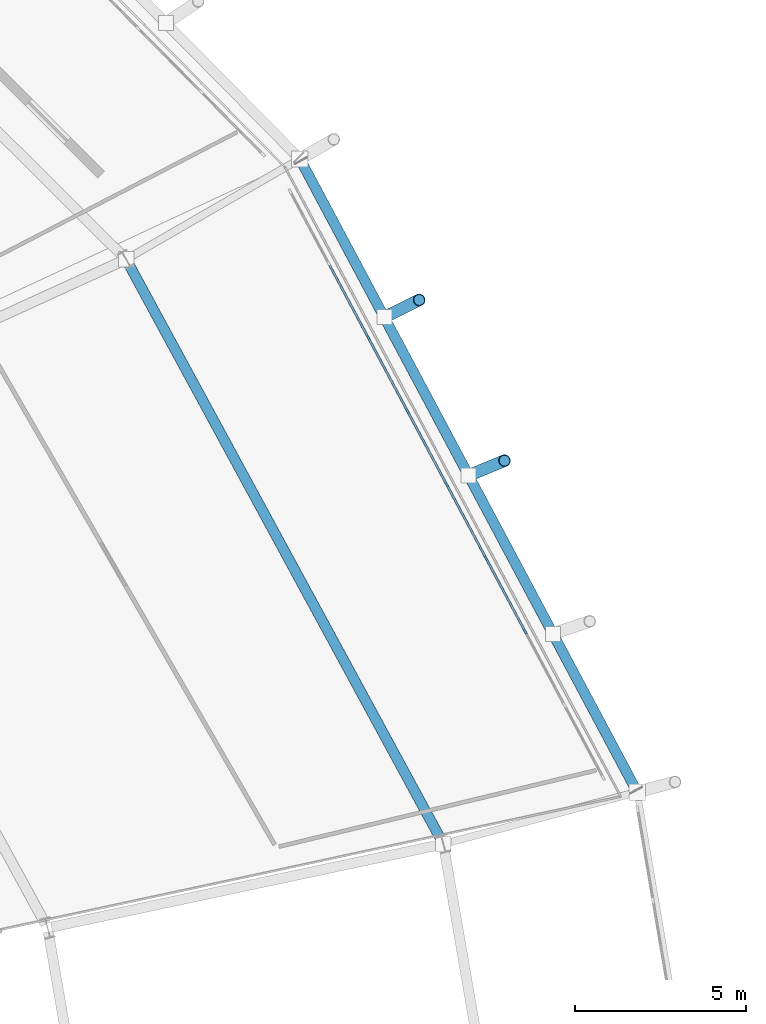
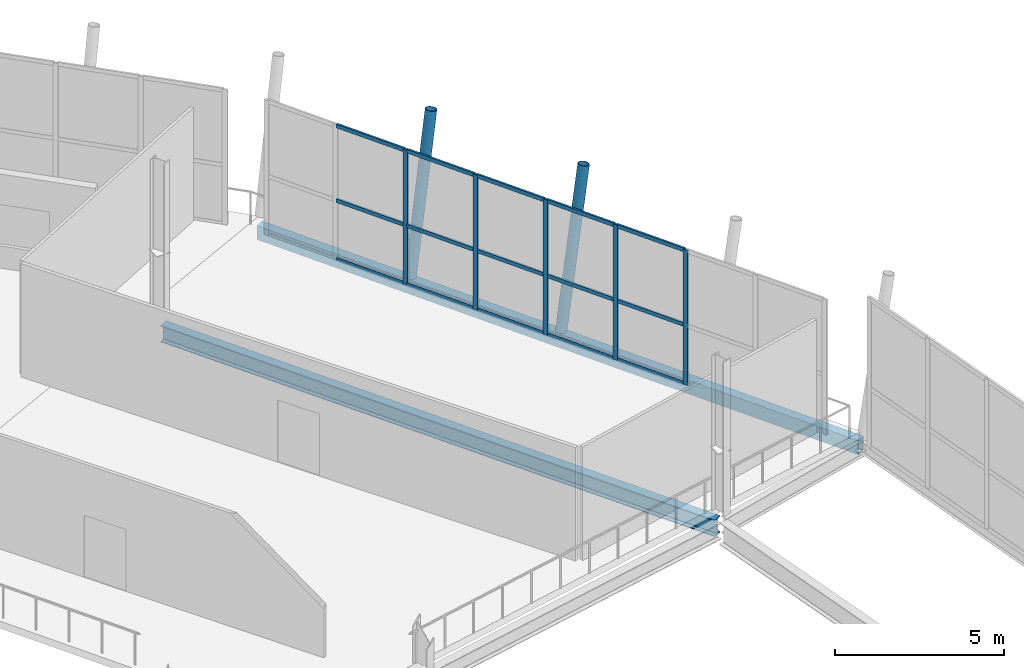
# One storey, part 39 of 99: 22 members, 2 beams, 1 element without a shape of its own.
"""IFC4 building model written with IfcOpenShell, lengths in metres."""

from ifc_helpers import new_model, si_unit, direction, frame, origin, origin_2d, place, context, subcontext, project, spatial, rectangle, hollow_rectangle, hollow_circle, i_section, extrude, material, material_profile, profile_set, type_object, element, aggregate, save


model = new_model("IFC4")

# Units and contexts
model_context = context("Model", 3, precision=1e-05, world=origin(), true_north=direction((0.0, 1.0)))
body_context = subcontext(model_context, "Body", "Model", "MODEL_VIEW")
ifc_project = project(units=[si_unit("LENGTHUNIT", "METRE"), si_unit("AREAUNIT", "SQUARE_METRE"), si_unit("VOLUMEUNIT", "CUBIC_METRE"), si_unit("PLANEANGLEUNIT", "RADIAN"), si_unit("MASSUNIT", "GRAM", prefix="KILO")], contexts=[model_context])

# Site, building, storey
site_placement = place(None, origin())
site = spatial("IfcSite", under=ifc_project, at=site_placement, CompositionType="ELEMENT")
building_placement = place(site_placement, origin())
building = spatial("IfcBuilding", under=site, at=building_placement, Name="Zlatoyarsky Gate Stadium", CompositionType="ELEMENT")
storey_placement = place(building_placement, frame((0.0, 0.0, 26.199951171875)))
storey = spatial("IfcBuildingStorey", under=building, at=storey_placement, Name="L05", CompositionType="ELEMENT", Elevation=26.199951171875)

# Curtain wall, members
ifc_material_1 = material(Name="Thermally broken anodised aluminium curtain wall", Category="aluminium")
curtain_wall_type = type_object("IfcCurtainWallType", Name="UNITISED SKYBOX RING GLAZING L05", PredefinedType="USERDEFINED", material=ifc_material_1)
curtain_wall_placement = place(storey_placement, origin())
curtain_wall = element("IfcCurtainWall", 1, at=curtain_wall_placement, inside=storey, type_object=curtain_wall_type, Name="Curtain wall CW-L05-01", ObjectType="UNITISED GLAZING", PredefinedType="USERDEFINED")
ifc_material_2 = material(Name="Anodised aluminium 6063-T6", Category="aluminium")
ifc_material_profile_1 = material_profile(ifc_material_2, rectangle(XDim=0.06494140625, YDim=0.159912109375, at=origin_2d()), Name="ALU 65X160")
ifc_profile_set_1 = profile_set([ifc_material_profile_1], Name="Anodised aluminium 6063-T6")
member_type_1 = type_object("IfcMemberType", Name="ALUMINIUM MULLION 65X160", PredefinedType="MULLION", material=ifc_profile_set_1)
member_1_placement = place(storey_placement, frame((203.227783203125, 104.59619140625, 0.0), z_axis=(0.0, 0.0, 1.0), x_axis=(-0.882166738191, -0.470937199667, 0.0)))
member_1 = element("IfcMember", 2, at=member_1_placement, type_object=member_type_1, Name="CW-UG5 mullion 3", PredefinedType="MULLION", context=body_context, shape_type="SweptSolid", body=[
    extrude(rectangle(XDim=0.06494140625, YDim=0.159912109375, at=origin_2d()), origin(), (0.0, 0.0, 1.0), 4.880126953125),
])
member_2_placement = place(storey_placement, frame((202.078125, 106.74951171875, 0.0), z_axis=(0.0, 0.0, 1.0), x_axis=(-0.882166738191, -0.470937199667, 0.0)))
member_2 = element("IfcMember", 3, at=member_2_placement, type_object=member_type_1, Name="CW-UG5 mullion 4", PredefinedType="MULLION", context=body_context, shape_type="SweptSolid", body=[
    extrude(rectangle(XDim=0.06494140625, YDim=0.159912109375, at=origin_2d()), origin(), (0.0, 0.0, 1.0), 4.880126953125),
])
member_3_placement = place(storey_placement, frame((200.9287109375, 108.902587890625, 0.0), z_axis=(0.0, 0.0, 1.0), x_axis=(-0.882166738191, -0.470937199667, 0.0)))
member_3 = element("IfcMember", 4, at=member_3_placement, type_object=member_type_1, Name="CW-UG5 mullion 5", PredefinedType="MULLION", context=body_context, shape_type="SweptSolid", body=[
    extrude(rectangle(XDim=0.06494140625, YDim=0.159912109375, at=origin_2d()), origin(), (0.0, 0.0, 1.0), 4.880126953125),
])
member_4_placement = place(storey_placement, frame((199.779296875, 111.055908203125, 0.0), z_axis=(0.0, 0.0, 1.0), x_axis=(-0.882166738191, -0.470937199667, 0.0)))
member_4 = element("IfcMember", 5, at=member_4_placement, type_object=member_type_1, Name="CW-UG5 mullion 6", PredefinedType="MULLION", context=body_context, shape_type="SweptSolid", body=[
    extrude(rectangle(XDim=0.06494140625, YDim=0.159912109375, at=origin_2d()), origin(), (0.0, 0.0, 1.0), 4.880126953125),
])
member_5_placement = place(storey_placement, frame((198.6298828125, 113.209228515625, 0.0), z_axis=(0.0, 0.0, 1.0), x_axis=(-0.882166738191, -0.470937199667, 0.0)))
member_5 = element("IfcMember", 6, at=member_5_placement, type_object=member_type_1, Name="CW-UG5 mullion 7", PredefinedType="MULLION", context=body_context, shape_type="SweptSolid", body=[
    extrude(rectangle(XDim=0.06494140625, YDim=0.159912109375, at=origin_2d()), origin(), (0.0, 0.0, 1.0), 4.880126953125),
])
ifc_material_profile_2 = material_profile(ifc_material_2, rectangle(XDim=0.06494140625, YDim=0.139892578125, at=origin_2d()), Name="ALU 65X140")
ifc_profile_set_2 = profile_set([ifc_material_profile_2], Name="Anodised aluminium 6063-T6")
member_type_2 = type_object("IfcMemberType", Name="ALUMINIUM TRANSOM 65X140", PredefinedType="USERDEFINED", material=ifc_profile_set_2)
member_6_placement = place(storey_placement, frame((203.21240234375, 104.624755859375, 0.032470703125), z_axis=(-0.470934870173, 0.882167981767, 0.0), x_axis=(-0.882167981767, -0.470934870173, 0.0)))
member_6 = element("IfcMember", 7, at=member_6_placement, type_object=member_type_2, Name="CW-UG5 transom 3.1", ObjectType="TRANSOM", PredefinedType="USERDEFINED", context=body_context, shape_type="SweptSolid", body=[
    extrude(rectangle(XDim=0.06494140625, YDim=0.139892578125, at=origin_2d()), origin(), (0.0, 0.0, 1.0), 2.3759765625),
])
member_7_placement = place(storey_placement, frame((203.21240234375, 104.624755859375, 2.150146484375), z_axis=(-0.470934870173, 0.882167981767, 0.0), x_axis=(-0.882167981767, -0.470934870173, 0.0)))
member_7 = element("IfcMember", 8, at=member_7_placement, type_object=member_type_2, Name="CW-UG5 transom 3.2", ObjectType="TRANSOM", PredefinedType="USERDEFINED", context=body_context, shape_type="SweptSolid", body=[
    extrude(rectangle(XDim=0.06494140625, YDim=0.139892578125, at=origin_2d()), origin(), (0.0, 0.0, 1.0), 2.3759765625),
])
member_8_placement = place(storey_placement, frame((203.21240234375, 104.624755859375, 4.84765625), z_axis=(-0.470934870173, 0.882167981767, 0.0), x_axis=(-0.882167981767, -0.470934870173, 0.0)))
member_8 = element("IfcMember", 9, at=member_8_placement, type_object=member_type_2, Name="CW-UG5 transom 3.3", ObjectType="TRANSOM", PredefinedType="USERDEFINED", context=body_context, shape_type="SweptSolid", body=[
    extrude(rectangle(XDim=0.06494140625, YDim=0.139892578125, at=origin_2d()), origin(), (0.0, 0.0, 1.0), 2.3759765625),
])
member_9_placement = place(storey_placement, frame((202.06298828125, 106.778076171875, 0.032470703125), z_axis=(-0.470934870173, 0.882167981767, 0.0), x_axis=(-0.882167981767, -0.470934870173, 0.0)))
member_9 = element("IfcMember", 10, at=member_9_placement, type_object=member_type_2, Name="CW-UG5 transom 4.1", ObjectType="TRANSOM", PredefinedType="USERDEFINED", context=body_context, shape_type="SweptSolid", body=[
    extrude(rectangle(XDim=0.06494140625, YDim=0.139892578125, at=origin_2d()), origin(), (0.0, 0.0, 1.0), 2.3759765625),
])
member_10_placement = place(storey_placement, frame((202.06298828125, 106.778076171875, 2.150146484375), z_axis=(-0.470934870173, 0.882167981767, 0.0), x_axis=(-0.882167981767, -0.470934870173, 0.0)))
member_10 = element("IfcMember", 11, at=member_10_placement, type_object=member_type_2, Name="CW-UG5 transom 4.2", ObjectType="TRANSOM", PredefinedType="USERDEFINED", context=body_context, shape_type="SweptSolid", body=[
    extrude(rectangle(XDim=0.06494140625, YDim=0.139892578125, at=origin_2d()), origin(), (0.0, 0.0, 1.0), 2.3759765625),
])
member_11_placement = place(storey_placement, frame((202.06298828125, 106.778076171875, 4.84765625), z_axis=(-0.470934870173, 0.882167981767, 0.0), x_axis=(-0.882167981767, -0.470934870173, 0.0)))
member_11 = element("IfcMember", 12, at=member_11_placement, type_object=member_type_2, Name="CW-UG5 transom 4.3", ObjectType="TRANSOM", PredefinedType="USERDEFINED", context=body_context, shape_type="SweptSolid", body=[
    extrude(rectangle(XDim=0.06494140625, YDim=0.139892578125, at=origin_2d()), origin(), (0.0, 0.0, 1.0), 2.3759765625),
])
member_12_placement = place(storey_placement, frame((200.913330078125, 108.931396484375, 0.032470703125), z_axis=(-0.470897586762, 0.88218788406, 0.0), x_axis=(-0.88218788406, -0.470897586762, 0.0)))
member_12 = element("IfcMember", 13, at=member_12_placement, type_object=member_type_2, Name="CW-UG5 transom 5.1", ObjectType="TRANSOM", PredefinedType="USERDEFINED", context=body_context, shape_type="SweptSolid", body=[
    extrude(rectangle(XDim=0.06494140625, YDim=0.139892578125, at=origin_2d()), origin(), (0.0, 0.0, 1.0), 2.37548828125),
])
member_13_placement = place(storey_placement, frame((200.913330078125, 108.931396484375, 2.150146484375), z_axis=(-0.470897586762, 0.88218788406, 0.0), x_axis=(-0.88218788406, -0.470897586762, 0.0)))
member_13 = element("IfcMember", 14, at=member_13_placement, type_object=member_type_2, Name="CW-UG5 transom 5.2", ObjectType="TRANSOM", PredefinedType="USERDEFINED", context=body_context, shape_type="SweptSolid", body=[
    extrude(rectangle(XDim=0.06494140625, YDim=0.139892578125, at=origin_2d()), origin(), (0.0, 0.0, 1.0), 2.37548828125),
])
member_14_placement = place(storey_placement, frame((200.913330078125, 108.931396484375, 4.84765625), z_axis=(-0.470897586762, 0.88218788406, 0.0), x_axis=(-0.88218788406, -0.470897586762, 0.0)))
member_14 = element("IfcMember", 15, at=member_14_placement, type_object=member_type_2, Name="CW-UG5 transom 5.3", ObjectType="TRANSOM", PredefinedType="USERDEFINED", context=body_context, shape_type="SweptSolid", body=[
    extrude(rectangle(XDim=0.06494140625, YDim=0.139892578125, at=origin_2d()), origin(), (0.0, 0.0, 1.0), 2.37548828125),
])
member_15_placement = place(storey_placement, frame((199.763916015625, 111.08447265625, 0.032470703125), z_axis=(-0.470934870173, 0.882167981767, 0.0), x_axis=(-0.882167981767, -0.470934870173, 0.0)))
member_15 = element("IfcMember", 16, at=member_15_placement, type_object=member_type_2, Name="CW-UG5 transom 6.1", ObjectType="TRANSOM", PredefinedType="USERDEFINED", context=body_context, shape_type="SweptSolid", body=[
    extrude(rectangle(XDim=0.06494140625, YDim=0.139892578125, at=origin_2d()), origin(), (0.0, 0.0, 1.0), 2.3759765625),
])
member_16_placement = place(storey_placement, frame((199.763916015625, 111.08447265625, 2.150146484375), z_axis=(-0.470934870173, 0.882167981767, 0.0), x_axis=(-0.882167981767, -0.470934870173, 0.0)))
member_16 = element("IfcMember", 17, at=member_16_placement, type_object=member_type_2, Name="CW-UG5 transom 6.2", ObjectType="TRANSOM", PredefinedType="USERDEFINED", context=body_context, shape_type="SweptSolid", body=[
    extrude(rectangle(XDim=0.06494140625, YDim=0.139892578125, at=origin_2d()), origin(), (0.0, 0.0, 1.0), 2.3759765625),
])
member_17_placement = place(storey_placement, frame((199.763916015625, 111.08447265625, 4.84765625), z_axis=(-0.470934870173, 0.882167981767, 0.0), x_axis=(-0.882167981767, -0.470934870173, 0.0)))
member_17 = element("IfcMember", 18, at=member_17_placement, type_object=member_type_2, Name="CW-UG5 transom 6.3", ObjectType="TRANSOM", PredefinedType="USERDEFINED", context=body_context, shape_type="SweptSolid", body=[
    extrude(rectangle(XDim=0.06494140625, YDim=0.139892578125, at=origin_2d()), origin(), (0.0, 0.0, 1.0), 2.3759765625),
])
member_18_placement = place(storey_placement, frame((198.614501953125, 113.23779296875, 0.032470703125), z_axis=(-0.470934870173, 0.882167981767, 0.0), x_axis=(-0.882167981767, -0.470934870173, 0.0)))
member_18 = element("IfcMember", 19, at=member_18_placement, type_object=member_type_2, Name="CW-UG5 transom 7.1", ObjectType="TRANSOM", PredefinedType="USERDEFINED", context=body_context, shape_type="SweptSolid", body=[
    extrude(rectangle(XDim=0.06494140625, YDim=0.139892578125, at=origin_2d()), origin(), (0.0, 0.0, 1.0), 2.3759765625),
])
member_19_placement = place(storey_placement, frame((198.614501953125, 113.23779296875, 2.150146484375), z_axis=(-0.470934870173, 0.882167981767, 0.0), x_axis=(-0.882167981767, -0.470934870173, 0.0)))
member_19 = element("IfcMember", 20, at=member_19_placement, type_object=member_type_2, Name="CW-UG5 transom 7.2", ObjectType="TRANSOM", PredefinedType="USERDEFINED", context=body_context, shape_type="SweptSolid", body=[
    extrude(rectangle(XDim=0.06494140625, YDim=0.139892578125, at=origin_2d()), origin(), (0.0, 0.0, 1.0), 2.3759765625),
])
member_20_placement = place(storey_placement, frame((198.614501953125, 113.23779296875, 4.84765625), z_axis=(-0.470934870173, 0.882167981767, 0.0), x_axis=(-0.882167981767, -0.470934870173, 0.0)))
member_20 = element("IfcMember", 21, at=member_20_placement, type_object=member_type_2, Name="CW-UG5 transom 7.3", ObjectType="TRANSOM", PredefinedType="USERDEFINED", context=body_context, shape_type="SweptSolid", body=[
    extrude(rectangle(XDim=0.06494140625, YDim=0.139892578125, at=origin_2d()), origin(), (0.0, 0.0, 1.0), 2.3759765625),
])
aggregate(curtain_wall, [member_1, member_2, member_3, member_4, member_5, member_6, member_7, member_8, member_9, member_10, member_11, member_12, member_13, member_14, member_15, member_16, member_17, member_18, member_19, member_20])

# Members
ifc_material_3 = material(Name="Steel S355", Category="steel")
ifc_material_profile_3 = material_profile(ifc_material_3, hollow_circle(Radius=0.177734375, WallThickness=0.02001953125, at=origin_2d()), Name="CHS 355.6X20")
ifc_profile_set_3 = profile_set([ifc_material_profile_3], Name="Steel S355")
member_type_3 = type_object("IfcMemberType", Name="STEEL LEANING RIB RING STRUT CHS 355.6X20", PredefinedType="STRUT", material=ifc_profile_set_3)
member_21_placement = place(storey_placement, frame((201.56982421875, 109.168212890625, -0.510009765625), z_axis=(0.182372642512, 0.075562233287, 0.980321665661), x_axis=(-0.382774280043, 0.923841896938, 0.0)))
element("IfcMember", 22, at=member_21_placement, inside=storey, type_object=member_type_3, Name="Outward-leaning bowl louvre fin rib L05 01-2", PredefinedType="STRUT", context=body_context, shape_type="SweptSolid", body=[
    extrude(hollow_circle(Radius=0.177734375, WallThickness=0.02001953125, at=origin_2d()), origin(), (0.0, 0.0, 1.0), 5.773681640625),
])
member_22_placement = place(storey_placement, frame((199.100341796875, 113.8037109375, -0.510009765625), z_axis=(0.177369194888, 0.087521867322, 0.980244914011), x_axis=(-0.442504467342, 0.896766299758, 0.0)))
element("IfcMember", 23, at=member_22_placement, inside=storey, type_object=member_type_3, Name="Outward-leaning bowl louvre fin rib L05 01-3", PredefinedType="STRUT", context=body_context, shape_type="SweptSolid", body=[
    extrude(hollow_circle(Radius=0.177734375, WallThickness=0.02001953125, at=origin_2d()), origin(), (0.0, 0.0, 1.0), 5.774169921875),
])

# Beams
ifc_material_profile_4 = material_profile(ifc_material_3, hollow_rectangle(XDim=0.300048828125, YDim=0.5, WallThickness=0.02001953125, at=origin_2d()), Name="RHS 500X300X20")
ifc_profile_set_4 = profile_set([ifc_material_profile_4], Name="Steel S355")
beam_type_1 = type_object("IfcBeamType", Name="STEEL LOUVRE CARRIER SPANDREL RHS 500X300X20", PredefinedType="SPANDREL", material=ifc_profile_set_4)
beam_1_placement = place(storey_placement, frame((206.49951171875, 99.915283203125, -0.510009765625), z_axis=(-0.470187523568, 0.882566537254, 0.0), x_axis=(-0.882566537254, -0.470187523568, 0.0)))
element("IfcBeam", 24, at=beam_1_placement, inside=storey, type_object=beam_type_1, Name="Beam SP-RHS500 BM-L05-SPD-01", PredefinedType="SPANDREL", context=body_context, shape_type="SweptSolid", body=[
    extrude(hollow_rectangle(XDim=0.300048828125, YDim=0.5, WallThickness=0.02001953125, at=origin_2d()), origin(), (0.0, 0.0, 1.0), 20.968505859375),
])
ifc_material_profile_5 = material_profile(ifc_material_3, i_section(OverallWidth=0.300048828125, OverallDepth=0.60009765625, WebThickness=0.015380859375, FlangeThickness=0.030029296875, FilletRadius=0.027099609375, at=origin_2d()), Name="HEB 600")
ifc_profile_set_5 = profile_set([ifc_material_profile_5], Name="Steel S355")
beam_type_2 = type_object("IfcBeamType", Name="STEEL PRIMARY GIRDER HEB 600", PredefinedType="BEAM", material=ifc_profile_set_5)
beam_2_placement = place(storey_placement, frame((200.77392578125, 98.481689453125, -0.56005859375), z_axis=(-0.476891650323, 0.878962088973, 0.0), x_axis=(-0.878962088973, -0.476891650323, 0.0)))
element("IfcBeam", 25, at=beam_2_placement, inside=storey, type_object=beam_type_2, Name="Beam G-HEB600 BM-L05-CRC-01", PredefinedType="BEAM", context=body_context, shape_type="SweptSolid", body=[
    extrude(i_section(OverallWidth=0.300048828125, OverallDepth=0.60009765625, WebThickness=0.015380859375, FlangeThickness=0.030029296875, FilletRadius=0.027099609375, at=origin_2d()), origin(), (0.0, 0.0, 1.0), 19.241943359375),
])

save(model, "model.ifc")
